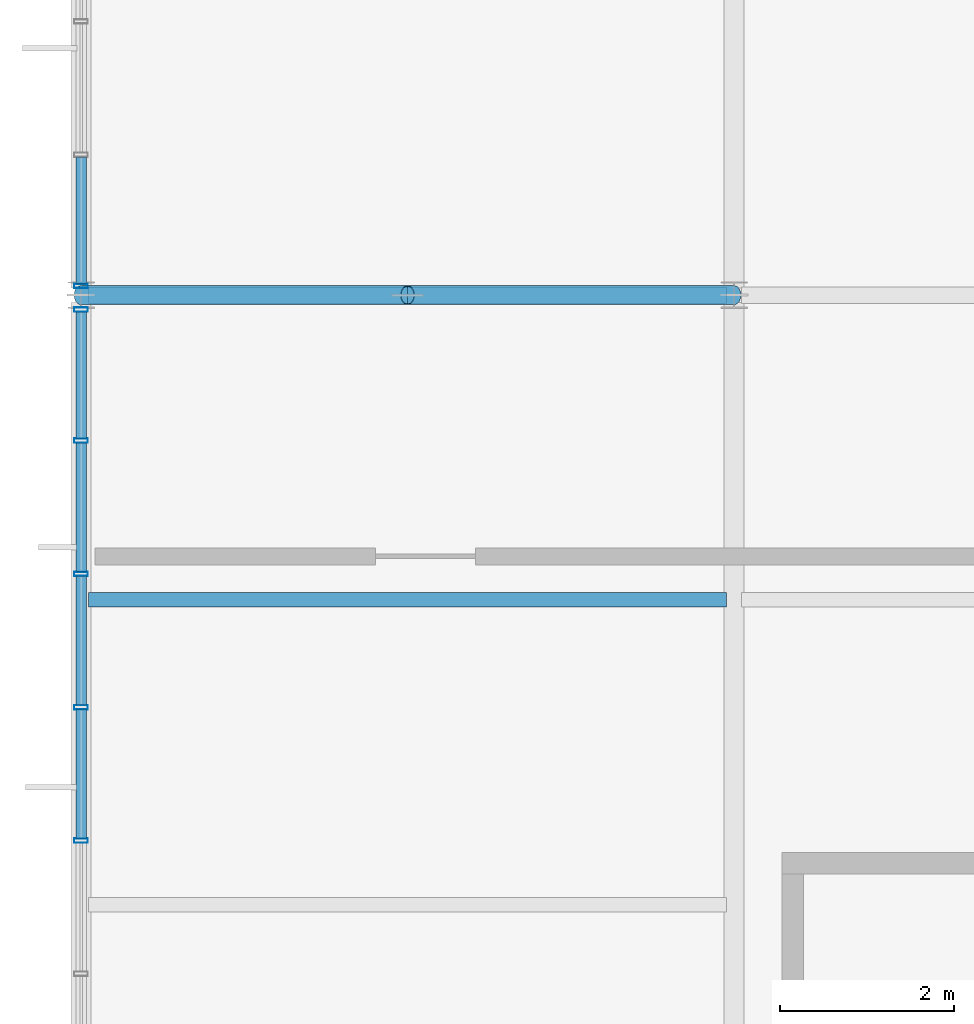
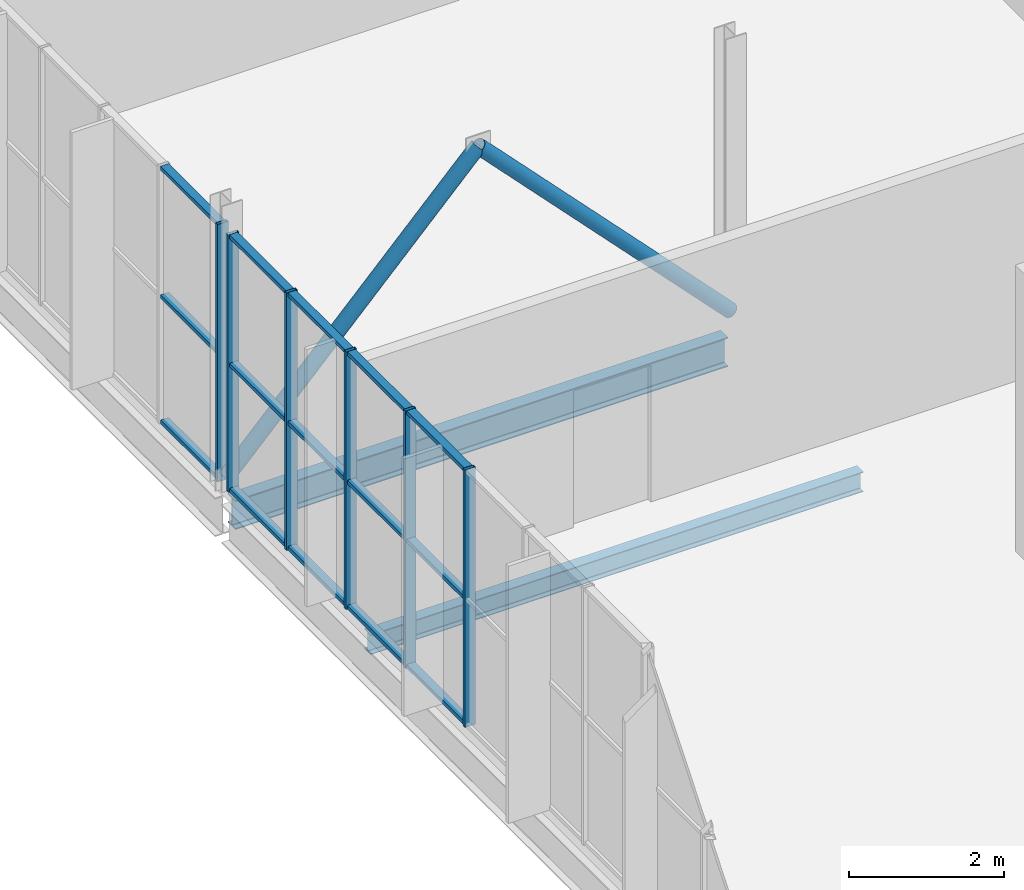
# One storey, part 34 of 324: 23 members, 2 beams, 2 elements without a shape of their own.
"""IFC4 building model written with IfcOpenShell, lengths in metres."""

import ifcopenshell
import ifcopenshell.guid

model = None  # the IFC model being written
_history = None  # IfcOwnerHistory: only IFC2X3 demands one
_inside = {}  # id of a spatial element -> (the spatial element, [elements in it])
_under = {}  # id of a project, library or spatial element -> (it, [spatial elements below it])
_declared = {}  # id of a project -> (the project, [libraries it declares])
_typed = {}  # id of a type object -> (the type object, [elements of that type])
_made_of = {}  # id of a material, layer set ... -> (it, [elements and type objects made of it])


def new_model(schema):
    """Start an empty IFC model of exactly this schema.

    Asked for "IFC4X3", IfcOpenShell would pick the latest addendum, in which some entities
    have other attributes; the version numbers below select the first issue.
    IFC2X3 requires an IfcOwnerHistory on every rooted entity: one is made here for all.
    """
    global model, _history
    if schema == "IFC4X3":
        model = ifcopenshell.file(schema_version=(4, 3, 0, 0))
    else:
        model = ifcopenshell.file(schema=schema)
    _inside.clear()
    _under.clear()
    _declared.clear()
    _typed.clear()
    _made_of.clear()
    _history = None
    if model.schema == "IFC2X3":
        org = make("IfcOrganization", Name="unknown")
        user = make(
            "IfcPersonAndOrganization",
            ThePerson=make("IfcPerson", FamilyName="unknown"),
            TheOrganization=org,
        )
        app = make(
            "IfcApplication",
            ApplicationDeveloper=org,
            Version="unknown",
            ApplicationFullName="unknown",
            ApplicationIdentifier="unknown",
        )
        _history = make(
            "IfcOwnerHistory",
            OwningUser=user,
            OwningApplication=app,
            ChangeAction="ADDED",
            CreationDate=0,
        )
    return model


def make(cls, **values):
    """One entity of the class cls with the attributes given. An attribute that is None is left unset."""
    return model.create_entity(
        cls, **{name: value for name, value in values.items() if value is not None}
    )


def rooted(cls, **values):
    """An entity with a GlobalId (a new one), such as an element, a storey or a relation."""
    return make(cls, GlobalId=ifcopenshell.guid.new(), OwnerHistory=_history, **values)


def si_unit(unit_type, name, prefix=None):
    """IfcSIUnit, for example si_unit("LENGTHUNIT", "METRE", prefix="MILLI")."""
    return make("IfcSIUnit", UnitType=unit_type, Prefix=prefix, Name=name)


def assignment(units):
    """IfcUnitAssignment: the units of a project."""
    return None if units is None else make("IfcUnitAssignment", Units=units)


def point(xyz):
    """IfcCartesianPoint."""
    return None if xyz is None else make("IfcCartesianPoint", Coordinates=xyz)


def direction(xyz):
    """IfcDirection."""
    return None if xyz is None else make("IfcDirection", DirectionRatios=xyz)


def frame(location, z_axis=None, x_axis=None):
    """IfcAxis2Placement3D, a coordinate frame: its origin and axes. An axis left out is left unset."""
    return make(
        "IfcAxis2Placement3D",
        Location=point(location),
        Axis=direction(z_axis),
        RefDirection=direction(x_axis),
    )


def frame_2d(location, x_axis=None):
    """IfcAxis2Placement2D, a coordinate frame in the plane: its origin and x axis."""
    return make(
        "IfcAxis2Placement2D", Location=point(location), RefDirection=direction(x_axis)
    )


def origin():
    """The frame at (0, 0, 0) with its axes left unset."""
    return frame((0.0, 0.0, 0.0))


def origin_2d():
    """The frame at (0, 0) in the plane with its x axis left unset."""
    return frame_2d((0.0, 0.0))


def place(relative_to, where):
    """IfcLocalPlacement: puts the frame where relative to a parent placement (None: the world)."""
    return make(
        "IfcLocalPlacement", PlacementRelTo=relative_to, RelativePlacement=where
    )


def context(
    kind, dimensions, precision=None, world=None, true_north=None, identifier=None
):
    """IfcGeometricRepresentationContext, for example the 3D "Model" context."""
    return make(
        "IfcGeometricRepresentationContext",
        ContextIdentifier=identifier,
        ContextType=kind,
        CoordinateSpaceDimension=dimensions,
        Precision=precision,
        WorldCoordinateSystem=world,
        TrueNorth=true_north,
    )


def subcontext(parent, identifier, kind, view, scale=None):
    """IfcGeometricRepresentationSubContext, for example "Body" below "Model"."""
    return make(
        "IfcGeometricRepresentationSubContext",
        ContextIdentifier=identifier,
        ContextType=kind,
        ParentContext=parent,
        TargetScale=scale,
        TargetView=view,
    )


def project(units=None, contexts=None):
    """IfcProject with its units and contexts."""
    return rooted(
        "IfcProject",
        Name="project",
        RepresentationContexts=contexts,
        UnitsInContext=assignment(units),
    )


def spatial(cls, under=None, at=None, **own):
    """A site, building, storey or space (cls), placed at a placement, below another one or the project."""
    s = rooted(cls, ObjectPlacement=at, **own)
    if under is not None:
        _under.setdefault(under.id(), (under, []))[1].append(s)
    return s


def profile(cls, at=None, kind="AREA", **sizes):
    """A parametric profile (cls). Its sizes go by their IFC names, for example OverallWidth=200.0."""
    return make(cls, ProfileType=kind, Position=at, **sizes)


def hollow_rectangle(**sizes):
    """IfcRectangleHollowProfileDef."""
    return profile("IfcRectangleHollowProfileDef", **sizes)


def hollow_circle(**sizes):
    """IfcCircleHollowProfileDef."""
    return profile("IfcCircleHollowProfileDef", **sizes)


def i_section(**sizes):
    """IfcIShapeProfileDef."""
    return profile("IfcIShapeProfileDef", **sizes)


def extrude(swept, where, along, depth):
    """IfcExtrudedAreaSolid: the profile swept, set in the frame where, extruded along a direction by depth."""
    return make(
        "IfcExtrudedAreaSolid",
        SweptArea=swept,
        Position=where,
        ExtrudedDirection=direction(along),
        Depth=depth,
    )


def shape(context_of_items, identifier, shape_type, items):
    """IfcShapeRepresentation: the items that make up one representation, for example the "Body"."""
    return make(
        "IfcShapeRepresentation",
        ContextOfItems=context_of_items,
        RepresentationIdentifier=identifier,
        RepresentationType=shape_type,
        Items=items,
    )


def material(Name=None, Category=None):
    """IfcMaterial."""
    return make("IfcMaterial", Name=Name, Category=Category)


def layer(
    of_material, thickness, ventilated=None, Name=None, Category=None, Priority=None
):
    """IfcMaterialLayer: one layer of a wall or slab, of a material (None: an air gap)."""
    return make(
        "IfcMaterialLayer",
        Material=of_material,
        LayerThickness=thickness,
        IsVentilated=ventilated,
        Name=Name,
        Category=Category,
        Priority=Priority,
    )


def layer_set(layers, Name=None):
    """IfcMaterialLayerSet."""
    return make("IfcMaterialLayerSet", MaterialLayers=layers, LayerSetName=Name)


def material_profile(
    of_material, cross_section, Name=None, Category=None, Priority=None
):
    """IfcMaterialProfile: a cross section and its material."""
    return make(
        "IfcMaterialProfile",
        Name=Name,
        Material=of_material,
        Profile=cross_section,
        Priority=Priority,
        Category=Category,
    )


def profile_set(profiles, Name=None, composite=None):
    """IfcMaterialProfileSet."""
    return make(
        "IfcMaterialProfileSet",
        Name=Name,
        MaterialProfiles=profiles,
        CompositeProfile=composite,
    )


def made_of(thing, what):
    """Note that an element or type object is made of a material, layer set ...; save() writes the relation."""
    if what is not None:
        _made_of.setdefault(what.id(), (what, []))[1].append(thing)
    return thing


def type_object(cls, material=None, **own):
    """A type object (cls), such as IfcWallType, which elements share."""
    return made_of(rooted(cls, **own), material)


def element(
    cls,
    number,
    at=None,
    inside=None,
    cuts=None,
    type_object=None,
    material=None,
    context=None,
    identifier="Body",
    shape_type=None,
    held_by="IfcProductDefinitionShape",
    body=None,
    shapes=None,
    **own,
):
    """One element of the class cls, such as IfcWall. Its Tag is "e" and its number.

    at: its placement. inside: the storey or other place that contains it. cuts: it is an
    opening in that element (IfcRelVoidsElement). A single representation is given by context,
    identifier, shape_type and body (its items); several are given by shapes. held_by: the class
    of the entity that holds the representations. save() writes the other relations.
    """
    e = rooted(cls, Tag="e%d" % number, ObjectPlacement=at, **own)
    if body is not None:
        shapes = [shape(context, identifier, shape_type, body)]
    if shapes is not None:
        e.Representation = make(held_by, Representations=shapes)
    if inside is not None:
        _inside.setdefault(inside.id(), (inside, []))[1].append(e)
    if cuts is not None:
        rooted(
            "IfcRelVoidsElement", RelatingBuildingElement=cuts, RelatedOpeningElement=e
        )
    if type_object is not None:
        _typed.setdefault(type_object.id(), (type_object, []))[1].append(e)
    return made_of(e, material)


def aggregate(whole, parts):
    """IfcRelAggregates: a whole, such as a stair, and the parts it consists of."""
    return rooted("IfcRelAggregates", RelatingObject=whole, RelatedObjects=parts)


def save(model, path):
    """Write the relations noted so far, then the file.

    IfcRelAggregates (storeys below a building ...), IfcRelContainedInSpatialStructure (elements
    in a storey), IfcRelDefinesByType, IfcRelAssociatesMaterial and IfcRelDeclares: one each for
    every whole, place, type object, material and project.
    """
    for whole, parts in _under.values():
        aggregate(whole, parts)
    for where, things in _inside.values():
        rooted(
            "IfcRelContainedInSpatialStructure",
            RelatedElements=things,
            RelatingStructure=where,
        )
    for kind, things in _typed.values():
        rooted("IfcRelDefinesByType", RelatedObjects=things, RelatingType=kind)
    for what, things in _made_of.values():
        rooted("IfcRelAssociatesMaterial", RelatedObjects=things, RelatingMaterial=what)
    for by, libraries in _declared.values():
        rooted("IfcRelDeclares", RelatingContext=by, RelatedDefinitions=libraries)
    model.write(path)


model = new_model("IFC4")

# Units and contexts
model_context = context("Model", 3, precision=1e-05, world=origin(), true_north=direction((0.0, 1.0)))
body_context = subcontext(model_context, "Body", "Model", "MODEL_VIEW")
ifc_project = project(units=[si_unit("LENGTHUNIT", "METRE"), si_unit("AREAUNIT", "SQUARE_METRE"), si_unit("VOLUMEUNIT", "CUBIC_METRE"), si_unit("PLANEANGLEUNIT", "RADIAN"), si_unit("MASSUNIT", "GRAM", prefix="KILO")], contexts=[model_context])

# Site, building, storey
site_placement = place(None, origin())
site = spatial("IfcSite", under=ifc_project, at=site_placement, CompositionType="ELEMENT")
building_placement = place(site_placement, origin())
building = spatial("IfcBuilding", under=site, at=building_placement, Name="Solvenia Promenade Tram Depot", CompositionType="ELEMENT")
storey_placement = place(building_placement, frame((0.0, 0.0, 4.5)))
storey = spatial("IfcBuildingStorey", under=building, at=storey_placement, Name="L01", CompositionType="ELEMENT", Elevation=4.5)

# Beam
ifc_material_1 = material(Name="Structural steel ASTM A992 Gr. 50", Category="steel")
ifc_material_profile_1 = material_profile(ifc_material_1, i_section(OverallWidth=0.19091796875, OverallDepth=0.4599609375, WebThickness=0.010009765625, FlangeThickness=0.01611328125, FilletRadius=0.012939453125, at=origin_2d()), Name="W460x82", Category="steel")
ifc_profile_set_1 = profile_set([ifc_material_profile_1], Name="Structural steel ASTM A992 Gr. 50")
beam_type_1 = type_object("IfcBeamType", Name="Beam-W460x82", PredefinedType="BEAM", material=ifc_profile_set_1)
beam_1_placement = place(storey_placement, frame((0.0849609375, 38.0, -0.469970703125), z_axis=(1.0, 0.0, 0.0), x_axis=(0.0, 1.0, 0.0)))
element("IfcBeam", 1, at=beam_1_placement, inside=storey, type_object=beam_type_1, Name="Primary Girder BM-L01-0217", PredefinedType="BEAM", context=body_context, shape_type="SweptSolid", body=[
    extrude(i_section(OverallWidth=0.19091796875, OverallDepth=0.4599609375, WebThickness=0.010009765625, FlangeThickness=0.01611328125, FilletRadius=0.012939453125, at=origin_2d()), origin(), (0.0, 0.0, 1.0), 7.330078125),
])

# Members
ifc_material_2 = material(Name="Structural steel ASTM A500 Gr. C", Category="steel")
ifc_material_profile_2 = material_profile(ifc_material_2, hollow_circle(Radius=0.109619140625, WallThickness=0.008056640625, at=origin_2d()), Name="CHS219.1x8", Category="steel")
ifc_profile_set_2 = profile_set([ifc_material_profile_2], Name="Structural steel ASTM A500 Gr. C")
member_type_1 = type_object("IfcMemberType", Name="Brace-CHS219x8", PredefinedType="BRACE", material=ifc_profile_set_2)
for number, where, z_axis, x_axis, name in (
    (2, (0.0, 38.0, 0.10009765625), (0.693117734231, 0.0, 0.720824393659), (0.0, 1.0, 0.0), "PAC-DES Chevron Brace 11L"),
    (3, (7.5, 38.0, 0.10009765625), (-0.693117734231, 0.0, 0.720824393659), (0.0, -1.0, 0.0), "PAC-DES Chevron Brace 11R"),
):
    element("IfcMember", number, at=place(storey_placement, frame(where, z_axis=z_axis, x_axis=x_axis)), inside=storey, type_object=member_type_1, Name=name, PredefinedType="BRACE", context=body_context, shape_type="SweptSolid", body=[
        extrude(hollow_circle(Radius=0.109619140625, WallThickness=0.008056640625, at=origin_2d()), origin(), (0.0, 0.0, 1.0), 5.410400390625),
    ])

# Curtain wall, members
ifc_material_3 = material(Name="Anodized aluminium AW-6063 T6", Category="aluminium")
ifc_layer = layer(ifc_material_3, 0.1201171875, Name="Anodized aluminium AW-6063 T6", Category="aluminium")
ifc_layer_set = layer_set([ifc_layer], Name="Anodized aluminium AW-6063 T6")
curtain_wall_type = type_object("IfcCurtainWallType", Name="CW-Wash-1500", PredefinedType="NOTDEFINED", material=ifc_layer_set)
curtain_wall_1_placement = place(storey_placement, origin())
curtain_wall_1 = element("IfcCurtainWall", 4, at=curtain_wall_1_placement, inside=storey, type_object=curtain_wall_type, Name="Curtain Wall CW-V3-W-L1-1", PredefinedType="NOTDEFINED")
ifc_material_profile_3 = material_profile(ifc_material_3, hollow_rectangle(XDim=0.159912109375, YDim=0.052001953125, WallThickness=0.00390625, at=origin_2d()), Name="ALU-M1", Category="aluminium")
ifc_profile_set_3 = profile_set([ifc_material_profile_3], Name="Anodized aluminium AW-6063 T6")
member_type_2 = type_object("IfcMemberType", Name="CWM-Mullion-1", PredefinedType="MULLION", material=ifc_profile_set_3)
member_1_placement = place(storey_placement, frame((0.0, 31.735595703125, 0.0), z_axis=(0.0, 0.0, 1.0), x_axis=(-1.0, 0.0, 0.0)))
member_1 = element("IfcMember", 5, at=member_1_placement, type_object=member_type_2, Name="CW-10 mullion 6", PredefinedType="MULLION", context=body_context, shape_type="SweptSolid", body=[
    extrude(hollow_rectangle(XDim=0.159912109375, YDim=0.052001953125, WallThickness=0.00390625, at=origin_2d()), origin(), (0.0, 0.0, 1.0), 4.050048828125),
])
member_2_placement = place(storey_placement, frame((0.0, 33.2666015625, 0.0), z_axis=(0.0, 0.0, 1.0), x_axis=(-1.0, 0.0, 0.0)))
member_2 = element("IfcMember", 6, at=member_2_placement, type_object=member_type_2, Name="CW-10 mullion 7", PredefinedType="MULLION", context=body_context, shape_type="SweptSolid", body=[
    extrude(hollow_rectangle(XDim=0.159912109375, YDim=0.052001953125, WallThickness=0.00390625, at=origin_2d()), origin(), (0.0, 0.0, 1.0), 4.050048828125),
])
member_3_placement = place(storey_placement, frame((0.0, 34.7978515625, 0.0), z_axis=(0.0, 0.0, 1.0), x_axis=(-1.0, 0.0, 0.0)))
member_3 = element("IfcMember", 7, at=member_3_placement, type_object=member_type_2, Name="CW-10 mullion 8", PredefinedType="MULLION", context=body_context, shape_type="SweptSolid", body=[
    extrude(hollow_rectangle(XDim=0.159912109375, YDim=0.052001953125, WallThickness=0.00390625, at=origin_2d()), origin(), (0.0, 0.0, 1.0), 4.050048828125),
])
member_4_placement = place(storey_placement, frame((0.0, 36.328857421875, 0.0), z_axis=(0.0, 0.0, 1.0), x_axis=(-1.0, 0.0, 0.0)))
member_4 = element("IfcMember", 8, at=member_4_placement, type_object=member_type_2, Name="CW-10 mullion 9", PredefinedType="MULLION", context=body_context, shape_type="SweptSolid", body=[
    extrude(hollow_rectangle(XDim=0.159912109375, YDim=0.052001953125, WallThickness=0.00390625, at=origin_2d()), origin(), (0.0, 0.0, 1.0), 4.050048828125),
])
member_5_placement = place(storey_placement, frame((0.0, 37.833984375, 0.0), z_axis=(0.0, 0.0, 1.0), x_axis=(-1.0, 0.0, 0.0)))
member_5 = element("IfcMember", 9, at=member_5_placement, type_object=member_type_2, Name="CW-10 mullion 10", PredefinedType="MULLION", context=body_context, shape_type="SweptSolid", body=[
    extrude(hollow_rectangle(XDim=0.159912109375, YDim=0.052001953125, WallThickness=0.00390625, at=origin_2d()), origin(), (0.0, 0.0, 1.0), 4.050048828125),
])

# Curtain wall, member
curtain_wall_2_placement = place(storey_placement, origin())
curtain_wall_2 = element("IfcCurtainWall", 10, at=curtain_wall_2_placement, inside=storey, type_object=curtain_wall_type, Name="Curtain Wall CW-V3-W-L1-2", PredefinedType="NOTDEFINED")
member_6_placement = place(storey_placement, frame((0.0, 38.10595703125, 0.0), z_axis=(0.0, 0.0, 1.0), x_axis=(-1.0, 0.0, 0.0)))
member_6 = element("IfcMember", 11, at=member_6_placement, type_object=member_type_2, Name="CW-10 mullion 1", PredefinedType="MULLION", context=body_context, shape_type="SweptSolid", body=[
    extrude(hollow_rectangle(XDim=0.159912109375, YDim=0.052001953125, WallThickness=0.00390625, at=origin_2d()), origin(), (0.0, 0.0, 1.0), 4.050048828125),
])

# Member
ifc_material_profile_4 = material_profile(ifc_material_3, hollow_rectangle(XDim=0.1201171875, YDim=0.06005859375, WallThickness=0.00390625, at=origin_2d()), Name="ALU-T1", Category="aluminium")
ifc_profile_set_4 = profile_set([ifc_material_profile_4], Name="Anodized aluminium AW-6063 T6")
member_type_3 = type_object("IfcMemberType", Name="CWT-Transom-1", PredefinedType="USERDEFINED", material=ifc_profile_set_4)
member_7_placement = place(storey_placement, frame((0.0, 31.761474609375, 0.030029296875), z_axis=(0.0, 1.0, 0.0), x_axis=(-1.0, 0.0, 0.0)))
member_7 = element("IfcMember", 12, at=member_7_placement, type_object=member_type_3, Name="CW-10 transom 6.1", ObjectType="TRANSOM", PredefinedType="USERDEFINED", context=body_context, shape_type="SweptSolid", body=[
    extrude(hollow_rectangle(XDim=0.1201171875, YDim=0.06005859375, WallThickness=0.00390625, at=origin_2d()), origin(), (0.0, 0.0, 1.0), 1.479248046875),
])

member_8_placement = place(storey_placement, frame((0.0, 31.761474609375, 2.0), z_axis=(0.0, 1.0, 0.0), x_axis=(-1.0, 0.0, 0.0)))
member_8 = element("IfcMember", 13, at=member_8_placement, type_object=member_type_3, Name="CW-10 transom 6.2", ObjectType="TRANSOM", PredefinedType="USERDEFINED", context=body_context, shape_type="SweptSolid", body=[
    extrude(hollow_rectangle(XDim=0.1201171875, YDim=0.06005859375, WallThickness=0.00390625, at=origin_2d()), origin(), (0.0, 0.0, 1.0), 1.479248046875),
])

member_9_placement = place(storey_placement, frame((0.0, 31.761474609375, 4.02001953125), z_axis=(0.0, 1.0, 0.0), x_axis=(-1.0, 0.0, 0.0)))
member_9 = element("IfcMember", 14, at=member_9_placement, type_object=member_type_3, Name="CW-10 transom 6.3", ObjectType="TRANSOM", PredefinedType="USERDEFINED", context=body_context, shape_type="SweptSolid", body=[
    extrude(hollow_rectangle(XDim=0.1201171875, YDim=0.06005859375, WallThickness=0.00390625, at=origin_2d()), origin(), (0.0, 0.0, 1.0), 1.479248046875),
])

member_10_placement = place(storey_placement, frame((0.0, 33.292724609375, 0.030029296875), z_axis=(0.0, 1.0, 0.0), x_axis=(-1.0, 0.0, 0.0)))
member_10 = element("IfcMember", 15, at=member_10_placement, type_object=member_type_3, Name="CW-10 transom 7.1", ObjectType="TRANSOM", PredefinedType="USERDEFINED", context=body_context, shape_type="SweptSolid", body=[
    extrude(hollow_rectangle(XDim=0.1201171875, YDim=0.06005859375, WallThickness=0.00390625, at=origin_2d()), origin(), (0.0, 0.0, 1.0), 1.47900390625),
])

member_11_placement = place(storey_placement, frame((0.0, 33.292724609375, 2.0), z_axis=(0.0, 1.0, 0.0), x_axis=(-1.0, 0.0, 0.0)))
member_11 = element("IfcMember", 16, at=member_11_placement, type_object=member_type_3, Name="CW-10 transom 7.2", ObjectType="TRANSOM", PredefinedType="USERDEFINED", context=body_context, shape_type="SweptSolid", body=[
    extrude(hollow_rectangle(XDim=0.1201171875, YDim=0.06005859375, WallThickness=0.00390625, at=origin_2d()), origin(), (0.0, 0.0, 1.0), 1.47900390625),
])

member_12_placement = place(storey_placement, frame((0.0, 33.292724609375, 4.02001953125), z_axis=(0.0, 1.0, 0.0), x_axis=(-1.0, 0.0, 0.0)))
member_12 = element("IfcMember", 17, at=member_12_placement, type_object=member_type_3, Name="CW-10 transom 7.3", ObjectType="TRANSOM", PredefinedType="USERDEFINED", context=body_context, shape_type="SweptSolid", body=[
    extrude(hollow_rectangle(XDim=0.1201171875, YDim=0.06005859375, WallThickness=0.00390625, at=origin_2d()), origin(), (0.0, 0.0, 1.0), 1.47900390625),
])

member_13_placement = place(storey_placement, frame((0.0, 34.82373046875, 0.030029296875), z_axis=(0.0, 1.0, 0.0), x_axis=(-1.0, 0.0, 0.0)))
member_13 = element("IfcMember", 18, at=member_13_placement, type_object=member_type_3, Name="CW-10 transom 8.1", ObjectType="TRANSOM", PredefinedType="USERDEFINED", context=body_context, shape_type="SweptSolid", body=[
    extrude(hollow_rectangle(XDim=0.1201171875, YDim=0.06005859375, WallThickness=0.00390625, at=origin_2d()), origin(), (0.0, 0.0, 1.0), 1.479248046875),
])

member_14_placement = place(storey_placement, frame((0.0, 34.82373046875, 2.0), z_axis=(0.0, 1.0, 0.0), x_axis=(-1.0, 0.0, 0.0)))
member_14 = element("IfcMember", 19, at=member_14_placement, type_object=member_type_3, Name="CW-10 transom 8.2", ObjectType="TRANSOM", PredefinedType="USERDEFINED", context=body_context, shape_type="SweptSolid", body=[
    extrude(hollow_rectangle(XDim=0.1201171875, YDim=0.06005859375, WallThickness=0.00390625, at=origin_2d()), origin(), (0.0, 0.0, 1.0), 1.479248046875),
])

member_15_placement = place(storey_placement, frame((0.0, 34.82373046875, 4.02001953125), z_axis=(0.0, 1.0, 0.0), x_axis=(-1.0, 0.0, 0.0)))
member_15 = element("IfcMember", 20, at=member_15_placement, type_object=member_type_3, Name="CW-10 transom 8.3", ObjectType="TRANSOM", PredefinedType="USERDEFINED", context=body_context, shape_type="SweptSolid", body=[
    extrude(hollow_rectangle(XDim=0.1201171875, YDim=0.06005859375, WallThickness=0.00390625, at=origin_2d()), origin(), (0.0, 0.0, 1.0), 1.479248046875),
])

member_16_placement = place(storey_placement, frame((0.0, 36.35498046875, 0.030029296875), z_axis=(0.0, 1.0, 0.0), x_axis=(-1.0, 0.0, 0.0)))
member_16 = element("IfcMember", 21, at=member_16_placement, type_object=member_type_3, Name="CW-10 transom 9.1", ObjectType="TRANSOM", PredefinedType="USERDEFINED", context=body_context, shape_type="SweptSolid", body=[
    extrude(hollow_rectangle(XDim=0.1201171875, YDim=0.06005859375, WallThickness=0.00390625, at=origin_2d()), origin(), (0.0, 0.0, 1.0), 1.453125),
])

member_17_placement = place(storey_placement, frame((0.0, 36.35498046875, 2.0), z_axis=(0.0, 1.0, 0.0), x_axis=(-1.0, 0.0, 0.0)))
member_17 = element("IfcMember", 22, at=member_17_placement, type_object=member_type_3, Name="CW-10 transom 9.2", ObjectType="TRANSOM", PredefinedType="USERDEFINED", context=body_context, shape_type="SweptSolid", body=[
    extrude(hollow_rectangle(XDim=0.1201171875, YDim=0.06005859375, WallThickness=0.00390625, at=origin_2d()), origin(), (0.0, 0.0, 1.0), 1.453125),
])

member_18_placement = place(storey_placement, frame((0.0, 36.35498046875, 4.02001953125), z_axis=(0.0, 1.0, 0.0), x_axis=(-1.0, 0.0, 0.0)))
member_18 = element("IfcMember", 23, at=member_18_placement, type_object=member_type_3, Name="CW-10 transom 9.3", ObjectType="TRANSOM", PredefinedType="USERDEFINED", context=body_context, shape_type="SweptSolid", body=[
    extrude(hollow_rectangle(XDim=0.1201171875, YDim=0.06005859375, WallThickness=0.00390625, at=origin_2d()), origin(), (0.0, 0.0, 1.0), 1.453125),
])

aggregate(curtain_wall_1, [member_1, member_2, member_3, member_4, member_5, member_7, member_8, member_9, member_10, member_11, member_12, member_13, member_14, member_15, member_16, member_17, member_18])

member_19_placement = place(storey_placement, frame((0.0, 38.132080078125, 0.030029296875), z_axis=(0.0, 1.0, 0.0), x_axis=(-1.0, 0.0, 0.0)))
member_19 = element("IfcMember", 24, at=member_19_placement, type_object=member_type_3, Name="CW-10 transom 1.1", ObjectType="TRANSOM", PredefinedType="USERDEFINED", context=body_context, shape_type="SweptSolid", body=[
    extrude(hollow_rectangle(XDim=0.1201171875, YDim=0.06005859375, WallThickness=0.00390625, at=origin_2d()), origin(), (0.0, 0.0, 1.0), 1.453125),
])

member_20_placement = place(storey_placement, frame((0.0, 38.132080078125, 2.0), z_axis=(0.0, 1.0, 0.0), x_axis=(-1.0, 0.0, 0.0)))
member_20 = element("IfcMember", 25, at=member_20_placement, type_object=member_type_3, Name="CW-10 transom 1.2", ObjectType="TRANSOM", PredefinedType="USERDEFINED", context=body_context, shape_type="SweptSolid", body=[
    extrude(hollow_rectangle(XDim=0.1201171875, YDim=0.06005859375, WallThickness=0.00390625, at=origin_2d()), origin(), (0.0, 0.0, 1.0), 1.453125),
])

member_21_placement = place(storey_placement, frame((0.0, 38.132080078125, 4.02001953125), z_axis=(0.0, 1.0, 0.0), x_axis=(-1.0, 0.0, 0.0)))
member_21 = element("IfcMember", 26, at=member_21_placement, type_object=member_type_3, Name="CW-10 transom 1.3", ObjectType="TRANSOM", PredefinedType="USERDEFINED", context=body_context, shape_type="SweptSolid", body=[
    extrude(hollow_rectangle(XDim=0.1201171875, YDim=0.06005859375, WallThickness=0.00390625, at=origin_2d()), origin(), (0.0, 0.0, 1.0), 1.453125),
])

aggregate(curtain_wall_2, [member_6, member_19, member_20, member_21])

# Beam
ifc_material_profile_5 = material_profile(ifc_material_1, i_section(OverallWidth=0.166015625, OverallDepth=0.31298828125, WebThickness=0.006591796875, FlangeThickness=0.01123046875, FilletRadius=0.010009765625, at=origin_2d()), Name="W310x45", Category="steel")
ifc_profile_set_5 = profile_set([ifc_material_profile_5], Name="Structural steel ASTM A992 Gr. 50")
beam_type_2 = type_object("IfcBeamType", Name="Joist-W310x45", PredefinedType="JOIST", material=ifc_profile_set_5)
beam_2_placement = place(storey_placement, frame((0.0849609375, 34.5, -0.396484375), z_axis=(1.0, 0.0, 0.0), x_axis=(0.0, 1.0, 0.0)))
element("IfcBeam", 27, at=beam_2_placement, inside=storey, type_object=beam_type_2, Name="Secondary Floor Joist BM-L01-0252", PredefinedType="JOIST", context=body_context, shape_type="SweptSolid", body=[
    extrude(i_section(OverallWidth=0.166015625, OverallDepth=0.31298828125, WebThickness=0.006591796875, FlangeThickness=0.01123046875, FilletRadius=0.010009765625, at=origin_2d()), origin(), (0.0, 0.0, 1.0), 7.330078125),
])

save(model, "model.ifc")
